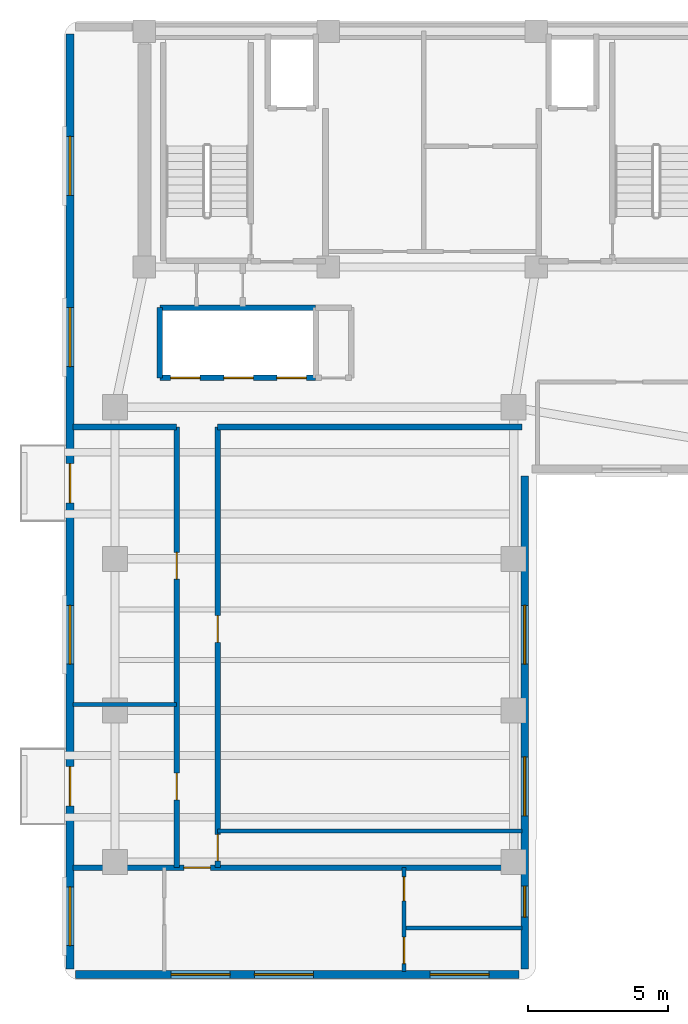
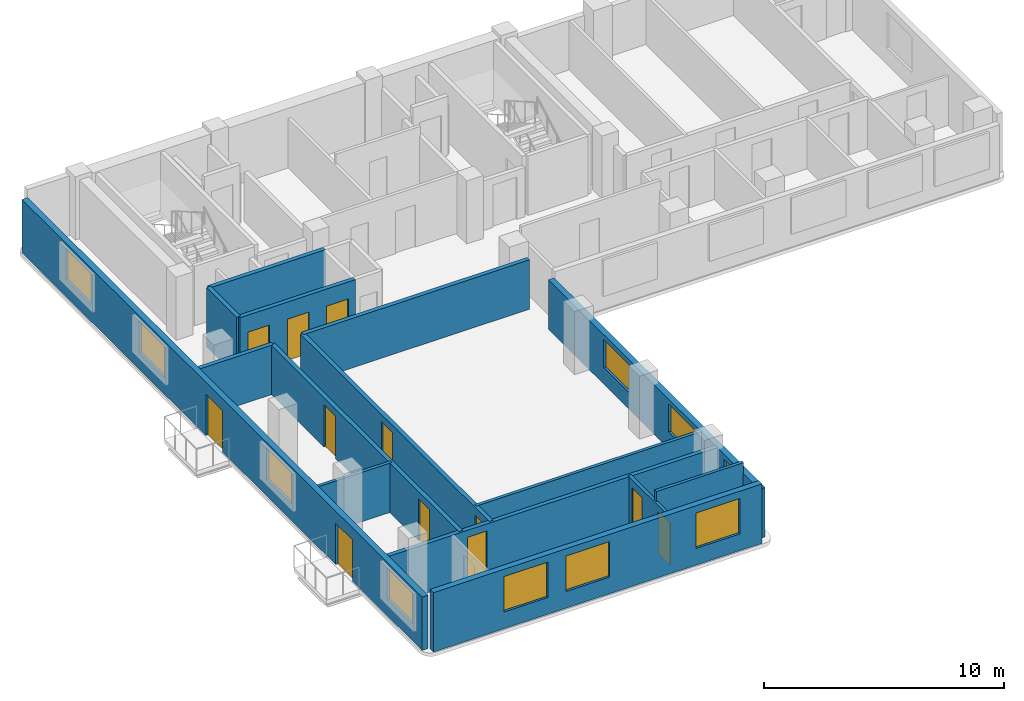
# One storey, part 2 of 7: 15 walls, 12 doors, 10 windows, 22 openings.
"""IFC4 building model written with IfcOpenShell, lengths in metres."""

from ifc_helpers import new_model, si_unit, direction, frame, frame_2d, origin, place, context, subcontext, project, spatial, rectangle, extrude, material, layer, layer_set, type_object, element, fill, save


model = new_model("IFC4")

# Units and contexts
model_context = context("Model", 3, precision=1e-05, world=origin(), true_north=direction((0.0, 1.0)))
body_context = subcontext(model_context, "Body", "Model", "MODEL_VIEW")
ifc_project = project(units=[si_unit("LENGTHUNIT", "METRE"), si_unit("AREAUNIT", "SQUARE_METRE"), si_unit("VOLUMEUNIT", "CUBIC_METRE"), si_unit("PLANEANGLEUNIT", "RADIAN"), si_unit("MASSUNIT", "GRAM", prefix="KILO")], contexts=[model_context])

# Site, building, storey
site_placement = place(None, origin())
site = spatial("IfcSite", under=ifc_project, at=site_placement, CompositionType="ELEMENT")
building_placement = place(site_placement, origin())
building = spatial("IfcBuilding", under=site, at=building_placement, Name="Kuzgunbayir Cultural Tower", CompositionType="ELEMENT")
storey_placement = place(building_placement, frame((0.0, 0.0, 192.0)))
storey = spatial("IfcBuildingStorey", under=building, at=storey_placement, Name="L56", CompositionType="ELEMENT", Elevation=192.0)

# Wall, openings, windows
ifc_material_1 = material(Name="Anatolian Cream Limestone", Category="masonry")
ifc_layer_1 = layer(ifc_material_1, 0.280029296875)
ifc_layer_set_1 = layer_set([ifc_layer_1], Name="Anatolian Cream Limestone")
wall_type_1 = type_object("IfcWallType", Name="WAL-EXT-STONE-280", PredefinedType="STANDARD", material=ifc_layer_set_1)
wall_1_placement = place(storey_placement, frame((4.0, 8.60009765625, 0.0), z_axis=(0.0, 0.0, 1.0), x_axis=(1.0, 0.0, 0.0)))
wall_1 = element("IfcWall", 1, at=wall_1_placement, inside=storey, type_object=wall_type_1, Name="L56 Wing A South Limestone Wall", PredefinedType="STANDARD", context=body_context, shape_type="SweptSolid", body=[
    extrude(rectangle(XDim=15.800048828125, YDim=0.280029296875, at=frame_2d((7.89990234375, 0.0))), origin(), (0.0, 0.0, 1.0), 3.02001953125),
])
opening_1_placement = place(wall_1_placement, frame((6.3701171875, 0.0, 0.85009765625)))
opening_1 = element("IfcOpeningElement", 2, at=opening_1_placement, cuts=wall_1, Name="Opening WR-21", PredefinedType="OPENING", context=body_context, shape_type="SweptSolid", body=[
    extrude(rectangle(XDim=2.10009765625, YDim=1.800048828125, at=frame_2d((1.050048828125, 0.89990234375))), frame((0.0, 0.14990234375, 0.0), z_axis=(0.0, -1.0, 0.0), x_axis=(1.0, 0.0, 0.0)), (0.0, 0.0, 1.0), 0.300048828125),
])
opening_2_placement = place(wall_1_placement, frame((12.6298828125, 0.0, 0.85009765625)))
opening_2 = element("IfcOpeningElement", 3, at=opening_2_placement, cuts=wall_1, Name="Opening WR-21", PredefinedType="OPENING", context=body_context, shape_type="SweptSolid", body=[
    extrude(rectangle(XDim=2.10009765625, YDim=1.800048828125, at=frame_2d((1.050048828125, 0.89990234375))), frame((0.0, 0.14990234375, 0.0), z_axis=(0.0, -1.0, 0.0), x_axis=(1.0, 0.0, 0.0)), (0.0, 0.0, 1.0), 0.300048828125),
])
opening_3_placement = place(wall_1_placement, frame((3.39990234375, 0.0, 0.85009765625)))
opening_3 = element("IfcOpeningElement", 4, at=opening_3_placement, cuts=wall_1, Name="Opening WR-21", PredefinedType="OPENING", context=body_context, shape_type="SweptSolid", body=[
    extrude(rectangle(XDim=2.10009765625, YDim=1.800048828125, at=frame_2d((1.050048828125, 0.89990234375))), frame((0.0, 0.14990234375, 0.0), z_axis=(0.0, -1.0, 0.0), x_axis=(1.0, 0.0, 0.0)), (0.0, 0.0, 1.0), 0.300048828125),
])
ifc_material_2 = material(Name="Solar-Control Triple Glazing", Category="glass")
window_type_1 = type_object("IfcWindowType", Name="WIN-RESID-21", PartitioningType="SINGLE_PANEL", PredefinedType="WINDOW", material=ifc_material_2)
window_1_placement = place(opening_1_placement, origin())
window_1 = element("IfcWindow", 5, at=window_1_placement, inside=storey, type_object=window_type_1, Name="L56 WAS Facade Window 3", OverallHeight=1.800048828125, OverallWidth=2.10009765625, PartitioningType="SINGLE_PANEL", PredefinedType="WINDOW", context=body_context, shape_type="SweptSolid", body=[
    extrude(rectangle(XDim=2.10009765625, YDim=1.800048828125, at=frame_2d((1.050048828125, 0.89990234375))), frame((0.0, 0.030029296875, 0.0), z_axis=(0.0, -1.0, 0.0), x_axis=(1.0, 0.0, 0.0)), (0.0, 0.0, 1.0), 0.06005859375),
])
fill(opening_1, window_1)
window_2_placement = place(opening_2_placement, origin())
window_2 = element("IfcWindow", 6, at=window_2_placement, inside=storey, type_object=window_type_1, Name="L56 WAS Facade Window 4", OverallHeight=1.800048828125, OverallWidth=2.10009765625, PartitioningType="SINGLE_PANEL", PredefinedType="WINDOW", context=body_context, shape_type="SweptSolid", body=[
    extrude(rectangle(XDim=2.10009765625, YDim=1.800048828125, at=frame_2d((1.050048828125, 0.89990234375))), frame((0.0, 0.030029296875, 0.0), z_axis=(0.0, -1.0, 0.0), x_axis=(1.0, 0.0, 0.0)), (0.0, 0.0, 1.0), 0.06005859375),
])
fill(opening_2, window_2)
window_3_placement = place(opening_3_placement, origin())
window_3 = element("IfcWindow", 7, at=window_3_placement, inside=storey, type_object=window_type_1, Name="L56 WAS Facade Window 18", OverallHeight=1.800048828125, OverallWidth=2.10009765625, PartitioningType="SINGLE_PANEL", PredefinedType="WINDOW", context=body_context, shape_type="SweptSolid", body=[
    extrude(rectangle(XDim=2.10009765625, YDim=1.800048828125, at=frame_2d((1.050048828125, 0.89990234375))), frame((0.0, 0.030029296875, 0.0), z_axis=(0.0, -1.0, 0.0), x_axis=(1.0, 0.0, 0.0)), (0.0, 0.0, 1.0), 0.06005859375),
])
fill(opening_3, window_3)

# Wall, openings, doors, windows
wall_2_placement = place(storey_placement, frame((3.800048828125, 42.10009765625, 0.0), z_axis=(0.0, 0.0, 1.0), x_axis=(0.0, -1.0, 0.0)))
wall_2 = element("IfcWall", 8, at=wall_2_placement, inside=storey, type_object=wall_type_1, Name="L56 Wing A West Limestone Wall", PredefinedType="STANDARD", context=body_context, shape_type="SweptSolid", body=[
    extrude(rectangle(XDim=33.300048828125, YDim=0.280029296875, at=frame_2d((16.64990234375, 0.0))), origin(), (0.0, 0.0, 1.0), 2.7099609375),
])
opening_4_placement = place(wall_2_placement, frame((26.10009765625, 0.0, 0.0)))
opening_4 = element("IfcOpeningElement", 9, at=opening_4_placement, cuts=wall_2, Name="Opening BD-15", PredefinedType="OPENING", context=body_context, shape_type="SweptSolid", body=[
    extrude(rectangle(XDim=1.39990234375, YDim=2.10009765625, at=frame_2d((0.699951171875, 1.050048828125))), frame((0.0, 0.14990234375, 0.0), z_axis=(0.0, -1.0, 0.0), x_axis=(1.0, 0.0, 0.0)), (0.0, 0.0, 1.0), 0.300048828125),
])
opening_5_placement = place(wall_2_placement, frame((15.300048828125, 0.0, 0.0)))
opening_5 = element("IfcOpeningElement", 10, at=opening_5_placement, cuts=wall_2, Name="Opening BD-15", PredefinedType="OPENING", context=body_context, shape_type="SweptSolid", body=[
    extrude(rectangle(XDim=1.39990234375, YDim=2.10009765625, at=frame_2d((0.699951171875, 1.050048828125))), frame((0.0, 0.14990234375, 0.0), z_axis=(0.0, -1.0, 0.0), x_axis=(1.0, 0.0, 0.0)), (0.0, 0.0, 1.0), 0.300048828125),
])
opening_6_placement = place(wall_2_placement, frame((30.3798828125, 0.0, 0.85009765625)))
opening_6 = element("IfcOpeningElement", 11, at=opening_6_placement, cuts=wall_2, Name="Opening WR-21", PredefinedType="OPENING", context=body_context, shape_type="SweptSolid", body=[
    extrude(rectangle(XDim=2.10009765625, YDim=1.610107421875, at=frame_2d((1.050048828125, 0.80517578125))), frame((0.0, 0.14990234375, 0.0), z_axis=(0.0, -1.0, 0.0), x_axis=(1.0, 0.0, 0.0)), (0.0, 0.0, 1.0), 0.300048828125),
])
opening_7_placement = place(wall_2_placement, frame((20.35009765625, 0.0, 0.85009765625)))
opening_7 = element("IfcOpeningElement", 12, at=opening_7_placement, cuts=wall_2, Name="Opening WR-21", PredefinedType="OPENING", context=body_context, shape_type="SweptSolid", body=[
    extrude(rectangle(XDim=2.10009765625, YDim=1.610107421875, at=frame_2d((1.050048828125, 0.80517578125))), frame((0.0, 0.14990234375, 0.0), z_axis=(0.0, -1.0, 0.0), x_axis=(1.0, 0.0, 0.0)), (0.0, 0.0, 1.0), 0.300048828125),
])
opening_8_placement = place(wall_2_placement, frame((9.75, 0.0, 0.85009765625)))
opening_8 = element("IfcOpeningElement", 13, at=opening_8_placement, cuts=wall_2, Name="Opening WR-21", PredefinedType="OPENING", context=body_context, shape_type="SweptSolid", body=[
    extrude(rectangle(XDim=2.10009765625, YDim=1.610107421875, at=frame_2d((1.050048828125, 0.80517578125))), frame((0.0, 0.14990234375, 0.0), z_axis=(0.0, -1.0, 0.0), x_axis=(1.0, 0.0, 0.0)), (0.0, 0.0, 1.0), 0.300048828125),
])
opening_9_placement = place(wall_2_placement, frame((3.64990234375, 0.0, 0.85009765625)))
opening_9 = element("IfcOpeningElement", 14, at=opening_9_placement, cuts=wall_2, Name="Opening WR-21", PredefinedType="OPENING", context=body_context, shape_type="SweptSolid", body=[
    extrude(rectangle(XDim=2.10009765625, YDim=1.610107421875, at=frame_2d((1.050048828125, 0.80517578125))), frame((0.0, 0.14990234375, 0.0), z_axis=(0.0, -1.0, 0.0), x_axis=(1.0, 0.0, 0.0)), (0.0, 0.0, 1.0), 0.300048828125),
])
ifc_material_3 = material(Name="Thermally Broken Glazed Aluminium", Category="aluminium")
door_type_1 = type_object("IfcDoorType", Name="DR-BALCONY-150", OperationType="SLIDING_TO_RIGHT", PredefinedType="DOOR", material=ifc_material_3)
door_1_placement = place(opening_4_placement, origin())
door_1 = element("IfcDoor", 15, at=door_1_placement, inside=storey, type_object=door_type_1, Name="L56 West Balcony Sliding Door BAL-L56-WA1", OperationType="SLIDING_TO_RIGHT", OverallHeight=2.10009765625, OverallWidth=1.39990234375, PredefinedType="DOOR", context=body_context, shape_type="SweptSolid", body=[
    extrude(rectangle(XDim=1.39990234375, YDim=2.10009765625, at=frame_2d((0.699951171875, 1.050048828125))), frame((0.0, 0.02490234375, 0.0), z_axis=(0.0, -1.0, 0.0), x_axis=(1.0, 0.0, 0.0)), (0.0, 0.0, 1.0), 0.050048828125),
])
fill(opening_4, door_1)
door_2_placement = place(opening_5_placement, origin())
door_2 = element("IfcDoor", 16, at=door_2_placement, inside=storey, type_object=door_type_1, Name="L56 West Balcony Sliding Door BAL-L56-WA3", OperationType="SLIDING_TO_RIGHT", OverallHeight=2.10009765625, OverallWidth=1.39990234375, PredefinedType="DOOR", context=body_context, shape_type="SweptSolid", body=[
    extrude(rectangle(XDim=1.39990234375, YDim=2.10009765625, at=frame_2d((0.699951171875, 1.050048828125))), frame((0.0, 0.02490234375, 0.0), z_axis=(0.0, -1.0, 0.0), x_axis=(1.0, 0.0, 0.0)), (0.0, 0.0, 1.0), 0.050048828125),
])
fill(opening_5, door_2)
window_4_placement = place(opening_6_placement, origin())
window_4 = element("IfcWindow", 17, at=window_4_placement, inside=storey, type_object=window_type_1, Name="L56 WAW Facade Window 2", OverallHeight=1.610107421875, OverallWidth=2.10009765625, PartitioningType="SINGLE_PANEL", PredefinedType="WINDOW", context=body_context, shape_type="SweptSolid", body=[
    extrude(rectangle(XDim=2.10009765625, YDim=1.610107421875, at=frame_2d((1.050048828125, 0.80517578125))), frame((0.0, 0.030029296875, 0.0), z_axis=(0.0, -1.0, 0.0), x_axis=(1.0, 0.0, 0.0)), (0.0, 0.0, 1.0), 0.06005859375),
])
fill(opening_6, window_4)
window_5_placement = place(opening_7_placement, origin())
window_5 = element("IfcWindow", 18, at=window_5_placement, inside=storey, type_object=window_type_1, Name="L56 WAW Facade Window 13", OverallHeight=1.610107421875, OverallWidth=2.10009765625, PartitioningType="SINGLE_PANEL", PredefinedType="WINDOW", context=body_context, shape_type="SweptSolid", body=[
    extrude(rectangle(XDim=2.10009765625, YDim=1.610107421875, at=frame_2d((1.050048828125, 0.80517578125))), frame((0.0, 0.030029296875, 0.0), z_axis=(0.0, -1.0, 0.0), x_axis=(1.0, 0.0, 0.0)), (0.0, 0.0, 1.0), 0.06005859375),
])
fill(opening_7, window_5)
window_6_placement = place(opening_8_placement, origin())
window_6 = element("IfcWindow", 19, at=window_6_placement, inside=storey, type_object=window_type_1, Name="L56 WAW Facade Window 14", OverallHeight=1.610107421875, OverallWidth=2.10009765625, PartitioningType="SINGLE_PANEL", PredefinedType="WINDOW", context=body_context, shape_type="SweptSolid", body=[
    extrude(rectangle(XDim=2.10009765625, YDim=1.610107421875, at=frame_2d((1.050048828125, 0.80517578125))), frame((0.0, 0.030029296875, 0.0), z_axis=(0.0, -1.0, 0.0), x_axis=(1.0, 0.0, 0.0)), (0.0, 0.0, 1.0), 0.06005859375),
])
fill(opening_8, window_6)
window_7_placement = place(opening_9_placement, origin())
window_7 = element("IfcWindow", 20, at=window_7_placement, inside=storey, type_object=window_type_1, Name="L56 WAW Facade Window 15", OverallHeight=1.610107421875, OverallWidth=2.10009765625, PartitioningType="SINGLE_PANEL", PredefinedType="WINDOW", context=body_context, shape_type="SweptSolid", body=[
    extrude(rectangle(XDim=2.10009765625, YDim=1.610107421875, at=frame_2d((1.050048828125, 0.80517578125))), frame((0.0, 0.030029296875, 0.0), z_axis=(0.0, -1.0, 0.0), x_axis=(1.0, 0.0, 0.0)), (0.0, 0.0, 1.0), 0.06005859375),
])
fill(opening_9, window_7)

# Wall, openings, windows
wall_3_placement = place(storey_placement, frame((20.0, 8.800048828125, 0.0), z_axis=(0.0, 0.0, 1.0), x_axis=(0.0, 1.0, 0.0)))
wall_3 = element("IfcWall", 21, at=wall_3_placement, inside=storey, type_object=wall_type_1, Name="L56 Wing A East Limestone Wall", PredefinedType="STANDARD", context=body_context, shape_type="SweptSolid", body=[
    extrude(rectangle(XDim=17.550048828125, YDim=0.280029296875, at=frame_2d((8.77490234375, 0.0))), origin(), (0.0, 0.0, 1.0), 2.510009765625),
])
opening_10_placement = place(wall_3_placement, frame((1.840087890625, 0.0, 0.85009765625)))
opening_10 = element("IfcOpeningElement", 22, at=opening_10_placement, cuts=wall_3, Name="Opening WN-11", PredefinedType="OPENING", context=body_context, shape_type="SweptSolid", body=[
    extrude(rectangle(XDim=1.10009765625, YDim=1.409912109375, at=frame_2d((0.550048828125, 0.705078125))), frame((0.0, 0.14990234375, 0.0), z_axis=(0.0, -1.0, 0.0), x_axis=(1.0, 0.0, 0.0)), (0.0, 0.0, 1.0), 0.300048828125),
])
opening_11_placement = place(wall_3_placement, frame((5.449951171875, 0.0, 0.85009765625)))
opening_11 = element("IfcOpeningElement", 23, at=opening_11_placement, cuts=wall_3, Name="Opening WR-21", PredefinedType="OPENING", context=body_context, shape_type="SweptSolid", body=[
    extrude(rectangle(XDim=2.10009765625, YDim=1.409912109375, at=frame_2d((1.050048828125, 0.705078125))), frame((0.0, 0.14990234375, 0.0), z_axis=(0.0, -1.0, 0.0), x_axis=(1.0, 0.0, 0.0)), (0.0, 0.0, 1.0), 0.300048828125),
])
opening_12_placement = place(wall_3_placement, frame((10.85009765625, 0.0, 0.85009765625)))
opening_12 = element("IfcOpeningElement", 24, at=opening_12_placement, cuts=wall_3, Name="Opening WR-21", PredefinedType="OPENING", context=body_context, shape_type="SweptSolid", body=[
    extrude(rectangle(XDim=2.10009765625, YDim=1.409912109375, at=frame_2d((1.050048828125, 0.705078125))), frame((0.0, 0.14990234375, 0.0), z_axis=(0.0, -1.0, 0.0), x_axis=(1.0, 0.0, 0.0)), (0.0, 0.0, 1.0), 0.300048828125),
])
window_type_2 = type_object("IfcWindowType", Name="WIN-NARROW-11", PartitioningType="SINGLE_PANEL", PredefinedType="WINDOW", material=ifc_material_2)
window_8_placement = place(opening_10_placement, origin())
window_8 = element("IfcWindow", 25, at=window_8_placement, inside=storey, type_object=window_type_2, Name="L56 WAE Facade Window 5", OverallHeight=1.409912109375, OverallWidth=1.10009765625, PartitioningType="SINGLE_PANEL", PredefinedType="WINDOW", context=body_context, shape_type="SweptSolid", body=[
    extrude(rectangle(XDim=1.10009765625, YDim=1.409912109375, at=frame_2d((0.550048828125, 0.705078125))), frame((0.0, 0.030029296875, 0.0), z_axis=(0.0, -1.0, 0.0), x_axis=(1.0, 0.0, 0.0)), (0.0, 0.0, 1.0), 0.06005859375),
])
fill(opening_10, window_8)
window_9_placement = place(opening_11_placement, origin())
window_9 = element("IfcWindow", 26, at=window_9_placement, inside=storey, type_object=window_type_1, Name="L56 WAE Facade Window 16", OverallHeight=1.409912109375, OverallWidth=2.10009765625, PartitioningType="SINGLE_PANEL", PredefinedType="WINDOW", context=body_context, shape_type="SweptSolid", body=[
    extrude(rectangle(XDim=2.10009765625, YDim=1.409912109375, at=frame_2d((1.050048828125, 0.705078125))), frame((0.0, 0.030029296875, 0.0), z_axis=(0.0, -1.0, 0.0), x_axis=(1.0, 0.0, 0.0)), (0.0, 0.0, 1.0), 0.06005859375),
])
fill(opening_11, window_9)
window_10_placement = place(opening_12_placement, origin())
window_10 = element("IfcWindow", 27, at=window_10_placement, inside=storey, type_object=window_type_1, Name="L56 WAE Facade Window 17", OverallHeight=1.409912109375, OverallWidth=2.10009765625, PartitioningType="SINGLE_PANEL", PredefinedType="WINDOW", context=body_context, shape_type="SweptSolid", body=[
    extrude(rectangle(XDim=2.10009765625, YDim=1.409912109375, at=frame_2d((1.050048828125, 0.705078125))), frame((0.0, 0.030029296875, 0.0), z_axis=(0.0, -1.0, 0.0), x_axis=(1.0, 0.0, 0.0)), (0.0, 0.0, 1.0), 0.06005859375),
])
fill(opening_12, window_10)

# Wall
ifc_material_4 = material(Name="Acoustic Double-Stud Drywall", Category="gypsum")
ifc_layer_2 = layer(ifc_material_4, 0.14990234375)
ifc_layer_set_2 = layer_set([ifc_layer_2], Name="Acoustic Double-Stud Drywall")
wall_type_2 = type_object("IfcWallType", Name="WAL-PART-ACOUSTIC-150", PredefinedType="PARTITIONING", material=ifc_layer_set_2)
wall_4_placement = place(storey_placement, frame((3.89990234375, 18.2099609375, 0.0), z_axis=(0.0, 0.0, 1.0), x_axis=(1.0, 0.0, 0.0)))
element("IfcWall", 28, at=wall_4_placement, inside=storey, type_object=wall_type_2, Name="L56 West Study Partition 1", PredefinedType="PARTITIONING", context=body_context, shape_type="SweptSolid", body=[
    extrude(rectangle(XDim=3.7001953125, YDim=0.14990234375, at=frame_2d((1.85009765625, 0.0))), origin(), (0.0, 0.0, 1.0), 2.510009765625),
])

# Wall, openings, doors
ifc_material_5 = material(Name="Aerated Concrete Blockwork", Category="masonry")
ifc_layer_3 = layer(ifc_material_5, 0.199951171875)
ifc_layer_set_3 = layer_set([ifc_layer_3], Name="Aerated Concrete Blockwork")
wall_type_3 = type_object("IfcWallType", Name="WAL-PART-FIRE-200", PredefinedType="PARTITIONING", material=ifc_layer_set_3)
wall_5_placement = place(storey_placement, frame((7.60009765625, 12.39990234375, 0.0), z_axis=(0.0, 0.0, 1.0), x_axis=(0.0, 1.0, 0.0)))
wall_5 = element("IfcWall", 29, at=wall_5_placement, inside=storey, type_object=wall_type_3, Name="L56 Wing A West Corridor Wall", PredefinedType="PARTITIONING", context=body_context, shape_type="SweptSolid", body=[
    extrude(rectangle(XDim=15.7001953125, YDim=0.199951171875, at=frame_2d((7.85009765625, 0.0))), origin(), (0.0, 0.0, 1.0), 2.510009765625),
])
opening_13_placement = place(wall_5_placement, frame((2.419921875, 0.0, 0.0)))
opening_13 = element("IfcOpeningElement", 30, at=opening_13_placement, cuts=wall_5, Name="Opening DI-90", PredefinedType="OPENING", context=body_context, shape_type="SweptSolid", body=[
    extrude(rectangle(XDim=0.949951171875, YDim=2.14990234375, at=frame_2d((0.47509765625, 1.074951171875))), frame((0.0, 0.10986328125, 0.0), z_axis=(0.0, -1.0, 0.0), x_axis=(1.0, 0.0, 0.0)), (0.0, 0.0, 1.0), 0.219970703125),
])
opening_14_placement = place(wall_5_placement, frame((10.280029296875, 0.0, 0.0)))
opening_14 = element("IfcOpeningElement", 31, at=opening_14_placement, cuts=wall_5, Name="Opening DI-90", PredefinedType="OPENING", context=body_context, shape_type="SweptSolid", body=[
    extrude(rectangle(XDim=0.949951171875, YDim=2.14990234375, at=frame_2d((0.47509765625, 1.074951171875))), frame((0.0, 0.10986328125, 0.0), z_axis=(0.0, -1.0, 0.0), x_axis=(1.0, 0.0, 0.0)), (0.0, 0.0, 1.0), 0.219970703125),
])
ifc_material_6 = material(Name="Veneered Oak Single Leaf", Category="wood")
door_type_2 = type_object("IfcDoorType", Name="DR-INT-90", OperationType="NOTDEFINED", PredefinedType="DOOR", material=ifc_material_6)
door_3_placement = place(opening_13_placement, origin())
door_3 = element("IfcDoor", 32, at=door_3_placement, inside=storey, type_object=door_type_2, Name="L56 Wellness Consultation Studio W1 Door", OperationType="SINGLE_SWING_LEFT", OverallHeight=2.14990234375, OverallWidth=0.949951171875, PredefinedType="DOOR", context=body_context, shape_type="SweptSolid", body=[
    extrude(rectangle(XDim=0.949951171875, YDim=2.14990234375, at=frame_2d((0.47509765625, 1.074951171875))), frame((0.0, 0.02490234375, 0.0), z_axis=(0.0, -1.0, 0.0), x_axis=(1.0, 0.0, 0.0)), (0.0, 0.0, 1.0), 0.050048828125),
])
fill(opening_13, door_3)
door_4_placement = place(opening_14_placement, origin())
door_4 = element("IfcDoor", 33, at=door_4_placement, inside=storey, type_object=door_type_2, Name="L56 Culinary Tasting Pantry W2 Door", OperationType="SINGLE_SWING_RIGHT", OverallHeight=2.14990234375, OverallWidth=0.949951171875, PredefinedType="DOOR", context=body_context, shape_type="SweptSolid", body=[
    extrude(rectangle(XDim=0.949951171875, YDim=2.14990234375, at=frame_2d((0.47509765625, 1.074951171875))), frame((0.0, 0.02490234375, 0.0), z_axis=(0.0, -1.0, 0.0), x_axis=(1.0, 0.0, 0.0)), (0.0, 0.0, 1.0), 0.050048828125),
])
fill(opening_14, door_4)

wall_6_placement = place(storey_placement, frame((9.06005859375, 12.39990234375, 0.0), z_axis=(0.0, 0.0, 1.0), x_axis=(0.0, 1.0, 0.0)))
wall_6 = element("IfcWall", 34, at=wall_6_placement, inside=storey, type_object=wall_type_3, Name="L56 Wing A East Corridor Wall", PredefinedType="PARTITIONING", context=body_context, shape_type="SweptSolid", body=[
    extrude(rectangle(XDim=15.7001953125, YDim=0.199951171875, at=frame_2d((7.85009765625, 0.0))), origin(), (0.0, 0.0, 1.0), 2.510009765625),
])
opening_15_placement = place(wall_6_placement, frame((0.239990234375, 0.0, 0.0)))
opening_15 = element("IfcOpeningElement", 35, at=opening_15_placement, cuts=wall_6, Name="Opening DW-95", PredefinedType="OPENING", context=body_context, shape_type="SweptSolid", body=[
    extrude(rectangle(XDim=0.949951171875, YDim=2.10009765625, at=frame_2d((0.47509765625, 1.050048828125))), frame((0.0, 0.10986328125, 0.0), z_axis=(0.0, -1.0, 0.0), x_axis=(1.0, 0.0, 0.0)), (0.0, 0.0, 1.0), 0.219970703125),
])
opening_16_placement = place(wall_6_placement, frame((8.030029296875, 0.0, 0.0)))
opening_16 = element("IfcOpeningElement", 36, at=opening_16_placement, cuts=wall_6, Name="Opening DI-90", PredefinedType="OPENING", context=body_context, shape_type="SweptSolid", body=[
    extrude(rectangle(XDim=0.949951171875, YDim=2.14990234375, at=frame_2d((0.47509765625, 1.074951171875))), frame((0.0, 0.10986328125, 0.0), z_axis=(0.0, -1.0, 0.0), x_axis=(1.0, 0.0, 0.0)), (0.0, 0.0, 1.0), 0.219970703125),
])
door_5_placement = place(opening_16_placement, origin())
door_5 = element("IfcDoor", 37, at=door_5_placement, inside=storey, type_object=door_type_2, Name="L56 East Wellness Consultation Studio E1 Door", OperationType="SINGLE_SWING_RIGHT", OverallHeight=2.14990234375, OverallWidth=0.949951171875, PredefinedType="DOOR", context=body_context, shape_type="SweptSolid", body=[
    extrude(rectangle(XDim=0.949951171875, YDim=2.14990234375, at=frame_2d((0.47509765625, 1.074951171875))), frame((0.0, 0.02490234375, 0.0), z_axis=(0.0, -1.0, 0.0), x_axis=(1.0, 0.0, 0.0)), (0.0, 0.0, 1.0), 0.050048828125),
])
fill(opening_16, door_5)
ifc_material_7 = material(Name="Laminate Moisture-Resistant Leaf", Category="wood")
door_type_3 = type_object("IfcDoorType", Name="DR-WET-95", OperationType="NOTDEFINED", PredefinedType="DOOR", material=ifc_material_7)
door_6_placement = place(opening_15_placement, origin())
door_6 = element("IfcDoor", 38, at=door_6_placement, inside=storey, type_object=door_type_3, Name="L56 Visitor Accessible WC Door", OperationType="SINGLE_SWING_LEFT", OverallHeight=2.10009765625, OverallWidth=0.949951171875, PredefinedType="DOOR", context=body_context, shape_type="SweptSolid", body=[
    extrude(rectangle(XDim=0.949951171875, YDim=2.10009765625, at=frame_2d((0.47509765625, 1.050048828125))), frame((0.0, 0.02490234375, 0.0), z_axis=(0.0, -1.0, 0.0), x_axis=(1.0, 0.0, 0.0)), (0.0, 0.0, 1.0), 0.050048828125),
])
fill(opening_15, door_6)

# Wall, opening, door
wall_7_placement = place(storey_placement, frame((3.89990234375, 12.39990234375, 0.0), z_axis=(0.0, 0.0, 1.0), x_axis=(1.0, 0.0, 0.0)))
wall_7 = element("IfcWall", 39, at=wall_7_placement, inside=storey, type_object=wall_type_3, Name="L56 South Cross Partition", PredefinedType="PARTITIONING", context=body_context, shape_type="SweptSolid", body=[
    extrude(rectangle(XDim=16.0, YDim=0.199951171875, at=frame_2d((8.0, 0.0))), origin(), (0.0, 0.0, 1.0), 2.510009765625),
])
opening_17_placement = place(wall_7_placement, frame((3.949951171875, 0.0, 0.0)))
opening_17 = element("IfcOpeningElement", 40, at=opening_17_placement, cuts=wall_7, Name="Opening DR-APT-60", PredefinedType="OPENING", context=body_context, shape_type="SweptSolid", body=[
    extrude(rectangle(XDim=0.949951171875, YDim=2.14990234375, at=frame_2d((0.47509765625, 1.074951171875))), frame((0.0, 0.10986328125, 0.0), z_axis=(0.0, -1.0, 0.0), x_axis=(1.0, 0.0, 0.0)), (0.0, 0.0, 1.0), 0.219970703125),
])
ifc_material_8 = material(Name="Acoustic Fire Timber Leaf", Category="wood")
door_type_4 = type_object("IfcDoorType", Name="DR-APT-60", OperationType="NOTDEFINED", PredefinedType="DOOR", material=ifc_material_8)
door_7_placement = place(opening_17_placement, origin())
door_7 = element("IfcDoor", 41, at=door_7_placement, inside=storey, type_object=door_type_4, Name="L56 Apartment A Entrance", OperationType="SINGLE_SWING_LEFT", OverallHeight=2.14990234375, OverallWidth=0.949951171875, PredefinedType="DOOR", context=body_context, shape_type="SweptSolid", body=[
    extrude(rectangle(XDim=0.949951171875, YDim=2.14990234375, at=frame_2d((0.47509765625, 1.074951171875))), frame((0.0, 0.02490234375, 0.0), z_axis=(0.0, -1.0, 0.0), x_axis=(1.0, 0.0, 0.0)), (0.0, 0.0, 1.0), 0.050048828125),
])
fill(opening_17, door_7)

# Walls
wall_8_placement = place(storey_placement, frame((3.89990234375, 28.10009765625, 0.0), z_axis=(0.0, 0.0, 1.0), x_axis=(1.0, 0.0, 0.0)))
element("IfcWall", 42, at=wall_8_placement, inside=storey, type_object=wall_type_3, Name="L56 North West Partition", PredefinedType="PARTITIONING", context=body_context, shape_type="SweptSolid", body=[
    extrude(rectangle(XDim=3.7001953125, YDim=0.199951171875, at=frame_2d((1.85009765625, 0.0))), origin(), (0.0, 0.0, 1.0), 2.510009765625),
])
wall_9_placement = place(storey_placement, frame((9.06005859375, 28.10009765625, 0.0), z_axis=(0.0, 0.0, 1.0), x_axis=(1.0, 0.0, 0.0)))
element("IfcWall", 43, at=wall_9_placement, inside=storey, type_object=wall_type_3, Name="L56 North East Partition", PredefinedType="PARTITIONING", context=body_context, shape_type="SweptSolid", body=[
    extrude(rectangle(XDim=10.83984375, YDim=0.199951171875, at=frame_2d((5.419921875, 0.0))), origin(), (0.0, 0.0, 1.0), 2.510009765625),
])

# Wall, openings, doors
ifc_material_9 = material(Name="Moisture-Resistant Tile Partition", Category="gypsum")
ifc_layer_4 = layer(ifc_material_9, 0.14990234375)
ifc_layer_set_4 = layer_set([ifc_layer_4], Name="Moisture-Resistant Tile Partition")
wall_type_4 = type_object("IfcWallType", Name="WAL-PART-WET-150", PredefinedType="PARTITIONING", material=ifc_layer_set_4)
wall_10_placement = place(storey_placement, frame((15.699951171875, 8.699951171875, 0.0), z_axis=(0.0, 0.0, 1.0), x_axis=(0.0, 1.0, 0.0)))
wall_10 = element("IfcWall", 44, at=wall_10_placement, inside=storey, type_object=wall_type_4, Name="L56 Flat A East Service Wall", PredefinedType="PARTITIONING", context=body_context, shape_type="SweptSolid", body=[
    extrude(rectangle(XDim=3.699951171875, YDim=0.14990234375, at=frame_2d((1.85009765625, 0.0))), origin(), (0.0, 0.0, 1.0), 2.510009765625),
])
opening_18_placement = place(wall_10_placement, frame((0.280029296875, 0.0, 0.0)))
opening_18 = element("IfcOpeningElement", 45, at=opening_18_placement, cuts=wall_10, Name="Opening DI-90", PredefinedType="OPENING", context=body_context, shape_type="SweptSolid", body=[
    extrude(rectangle(XDim=0.949951171875, YDim=2.14990234375, at=frame_2d((0.47509765625, 1.074951171875))), frame((0.0, 0.0849609375, 0.0), z_axis=(0.0, -1.0, 0.0), x_axis=(1.0, 0.0, 0.0)), (0.0, 0.0, 1.0), 0.169921875),
])
opening_19_placement = place(wall_10_placement, frame((2.52001953125, 0.0, 0.0)))
opening_19 = element("IfcOpeningElement", 46, at=opening_19_placement, cuts=wall_10, Name="Opening DW-85", PredefinedType="OPENING", context=body_context, shape_type="SweptSolid", body=[
    extrude(rectangle(XDim=0.85009765625, YDim=2.10009765625, at=frame_2d((0.425048828125, 1.050048828125))), frame((0.0, 0.0849609375, 0.0), z_axis=(0.0, -1.0, 0.0), x_axis=(1.0, 0.0, 0.0)), (0.0, 0.0, 1.0), 0.169921875),
])
door_8_placement = place(opening_18_placement, origin())
door_8 = element("IfcDoor", 47, at=door_8_placement, inside=storey, type_object=door_type_2, Name="L56 Apartment A Kitchen Door", OperationType="SINGLE_SWING_LEFT", OverallHeight=2.14990234375, OverallWidth=0.949951171875, PredefinedType="DOOR", context=body_context, shape_type="SweptSolid", body=[
    extrude(rectangle(XDim=0.949951171875, YDim=2.14990234375, at=frame_2d((0.47509765625, 1.074951171875))), frame((0.0, 0.02490234375, 0.0), z_axis=(0.0, -1.0, 0.0), x_axis=(1.0, 0.0, 0.0)), (0.0, 0.0, 1.0), 0.050048828125),
])
fill(opening_18, door_8)
door_type_5 = type_object("IfcDoorType", Name="DR-WET-85", OperationType="NOTDEFINED", PredefinedType="DOOR", material=ifc_material_7)
door_9_placement = place(opening_19_placement, origin())
door_9 = element("IfcDoor", 48, at=door_9_placement, inside=storey, type_object=door_type_5, Name="L56 Apartment A Bathroom Door", OperationType="SINGLE_SWING_RIGHT", OverallHeight=2.10009765625, OverallWidth=0.85009765625, PredefinedType="DOOR", context=body_context, shape_type="SweptSolid", body=[
    extrude(rectangle(XDim=0.85009765625, YDim=2.10009765625, at=frame_2d((0.425048828125, 1.050048828125))), frame((0.0, 0.02490234375, 0.0), z_axis=(0.0, -1.0, 0.0), x_axis=(1.0, 0.0, 0.0)), (0.0, 0.0, 1.0), 0.050048828125),
])
fill(opening_19, door_9)

# Walls
wall_11_placement = place(storey_placement, frame((15.699951171875, 10.25, 0.0), z_axis=(0.0, 0.0, 1.0), x_axis=(1.0, 0.0, 0.0)))
element("IfcWall", 49, at=wall_11_placement, inside=storey, type_object=wall_type_4, Name="L56 Flat A Bath Kitchen Divider", PredefinedType="PARTITIONING", context=body_context, shape_type="SweptSolid", body=[
    extrude(rectangle(XDim=4.199951171875, YDim=0.14990234375, at=frame_2d((2.10009765625, 0.0))), origin(), (0.0, 0.0, 1.0), 3.02001953125),
])
wall_12_placement = place(storey_placement, frame((9.06005859375, 13.7099609375, 0.0), z_axis=(0.0, 0.0, 1.0), x_axis=(1.0, 0.0, 0.0)))
element("IfcWall", 50, at=wall_12_placement, inside=storey, type_object=wall_type_4, Name="L56 East Accessible WC Wall", PredefinedType="PARTITIONING", context=body_context, shape_type="SweptSolid", body=[
    extrude(rectangle(XDim=10.83984375, YDim=0.14990234375, at=frame_2d((5.419921875, 0.0))), origin(), (0.0, 0.0, 1.0), 2.510009765625),
])

# Wall, openings, doors
ifc_material_10 = material(Name="Concrete C40/50", Category="concrete")
ifc_layer_5 = layer(ifc_material_10, 0.199951171875)
ifc_layer_set_5 = layer_set([ifc_layer_5], Name="Concrete C40/50")
wall_type_5 = type_object("IfcWallType", Name="WAL-SHAFT-200", PredefinedType="MOVABLE", material=ifc_layer_set_5)
wall_13_placement = place(storey_placement, frame((7.0, 29.85009765625, 0.0), z_axis=(0.0, 0.0, 1.0), x_axis=(1.0, 0.0, 0.0)))
wall_13 = element("IfcWall", 51, at=wall_13_placement, inside=storey, type_object=wall_type_5, Name="L56 High-Rise Lift Shaft South Wall", PredefinedType="MOVABLE", context=body_context, shape_type="SweptSolid", body=[
    extrude(rectangle(XDim=5.550048828125, YDim=0.199951171875, at=frame_2d((2.77490234375, 0.0))), origin(), (0.0, 0.0, 1.0), 3.02001953125),
])
opening_20_placement = place(wall_13_placement, frame((0.3798828125, 0.0, 0.0)))
opening_20 = element("IfcOpeningElement", 52, at=opening_20_placement, cuts=wall_13, Name="Opening LD", PredefinedType="OPENING", context=body_context, shape_type="SweptSolid", body=[
    extrude(rectangle(XDim=1.050048828125, YDim=2.14990234375, at=frame_2d((0.52490234375, 1.074951171875))), frame((0.0, 0.10986328125, 0.0), z_axis=(0.0, -1.0, 0.0), x_axis=(1.0, 0.0, 0.0)), (0.0, 0.0, 1.0), 0.219970703125),
])
opening_21_placement = place(wall_13_placement, frame((2.280029296875, 0.0, 0.0)))
opening_21 = element("IfcOpeningElement", 53, at=opening_21_placement, cuts=wall_13, Name="Opening LD", PredefinedType="OPENING", context=body_context, shape_type="SweptSolid", body=[
    extrude(rectangle(XDim=1.050048828125, YDim=2.14990234375, at=frame_2d((0.52490234375, 1.074951171875))), frame((0.0, 0.10986328125, 0.0), z_axis=(0.0, -1.0, 0.0), x_axis=(1.0, 0.0, 0.0)), (0.0, 0.0, 1.0), 0.219970703125),
])
opening_22_placement = place(wall_13_placement, frame((4.169921875, 0.0, 0.0)))
opening_22 = element("IfcOpeningElement", 54, at=opening_22_placement, cuts=wall_13, Name="Opening LD", PredefinedType="OPENING", context=body_context, shape_type="SweptSolid", body=[
    extrude(rectangle(XDim=1.050048828125, YDim=2.14990234375, at=frame_2d((0.52490234375, 1.074951171875))), frame((0.0, 0.10986328125, 0.0), z_axis=(0.0, -1.0, 0.0), x_axis=(1.0, 0.0, 0.0)), (0.0, 0.0, 1.0), 0.219970703125),
])
ifc_material_11 = material(Name="Brushed Stainless Steel", Category="steel")
door_type_6 = type_object("IfcDoorType", Name="DR-LIFT-LANDING", OperationType="SLIDING_TO_LEFT", PredefinedType="DOOR", material=ifc_material_11)
door_10_placement = place(opening_20_placement, origin())
door_10 = element("IfcDoor", 55, at=door_10_placement, inside=storey, type_object=door_type_6, Name="L56 Lift PH-1 Landing Door", OperationType="SLIDING_TO_LEFT", OverallHeight=2.14990234375, OverallWidth=1.050048828125, PredefinedType="DOOR", context=body_context, shape_type="SweptSolid", body=[
    extrude(rectangle(XDim=1.050048828125, YDim=2.14990234375, at=frame_2d((0.52490234375, 1.074951171875))), frame((0.0, 0.02490234375, 0.0), z_axis=(0.0, -1.0, 0.0), x_axis=(1.0, 0.0, 0.0)), (0.0, 0.0, 1.0), 0.050048828125),
])
fill(opening_20, door_10)
door_11_placement = place(opening_21_placement, origin())
door_11 = element("IfcDoor", 56, at=door_11_placement, inside=storey, type_object=door_type_6, Name="L56 Lift PH-2 Landing Door", OperationType="SLIDING_TO_LEFT", OverallHeight=2.14990234375, OverallWidth=1.050048828125, PredefinedType="DOOR", context=body_context, shape_type="SweptSolid", body=[
    extrude(rectangle(XDim=1.050048828125, YDim=2.14990234375, at=frame_2d((0.52490234375, 1.074951171875))), frame((0.0, 0.02490234375, 0.0), z_axis=(0.0, -1.0, 0.0), x_axis=(1.0, 0.0, 0.0)), (0.0, 0.0, 1.0), 0.050048828125),
])
fill(opening_21, door_11)
door_12_placement = place(opening_22_placement, origin())
door_12 = element("IfcDoor", 57, at=door_12_placement, inside=storey, type_object=door_type_6, Name="L56 Lift PH-3 Landing Door", OperationType="SLIDING_TO_LEFT", OverallHeight=2.14990234375, OverallWidth=1.050048828125, PredefinedType="DOOR", context=body_context, shape_type="SweptSolid", body=[
    extrude(rectangle(XDim=1.050048828125, YDim=2.14990234375, at=frame_2d((0.52490234375, 1.074951171875))), frame((0.0, 0.02490234375, 0.0), z_axis=(0.0, -1.0, 0.0), x_axis=(1.0, 0.0, 0.0)), (0.0, 0.0, 1.0), 0.050048828125),
])
fill(opening_22, door_12)

# Walls
wall_14_placement = place(storey_placement, frame((7.0, 32.35009765625, 0.0), z_axis=(0.0, 0.0, 1.0), x_axis=(1.0, 0.0, 0.0)))
element("IfcWall", 58, at=wall_14_placement, inside=storey, type_object=wall_type_5, Name="L56 High-Rise Lift Shaft North Wall", PredefinedType="MOVABLE", context=body_context, shape_type="SweptSolid", body=[
    extrude(rectangle(XDim=5.550048828125, YDim=0.199951171875, at=frame_2d((2.77490234375, 0.0))), origin(), (0.0, 0.0, 1.0), 3.02001953125),
])
wall_15_placement = place(storey_placement, frame((7.0, 29.85009765625, 0.0), z_axis=(0.0, 0.0, 1.0), x_axis=(0.0, 1.0, 0.0)))
element("IfcWall", 59, at=wall_15_placement, inside=storey, type_object=wall_type_5, Name="L56 High-Rise Lift Shaft West Wall", PredefinedType="MOVABLE", context=body_context, shape_type="SweptSolid", body=[
    extrude(rectangle(XDim=2.5, YDim=0.199951171875, at=frame_2d((1.25, 0.0))), origin(), (0.0, 0.0, 1.0), 3.02001953125),
])

save(model, "model.ifc")
